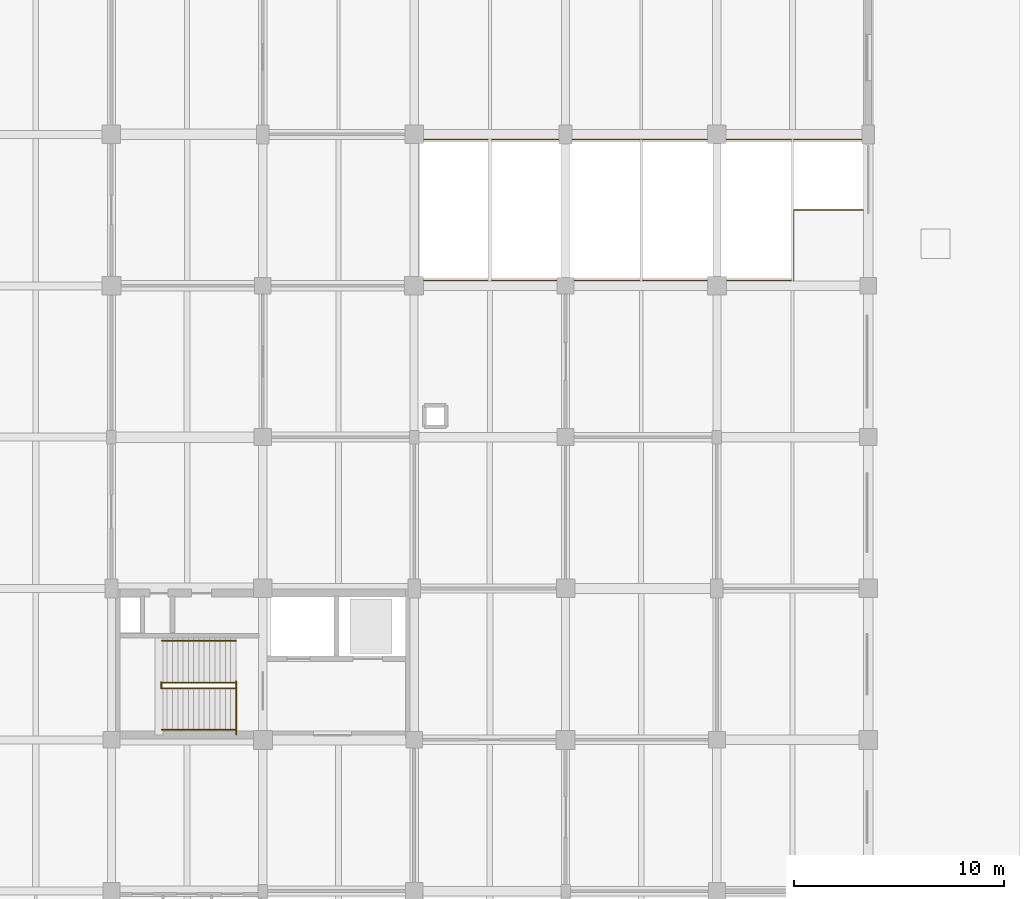
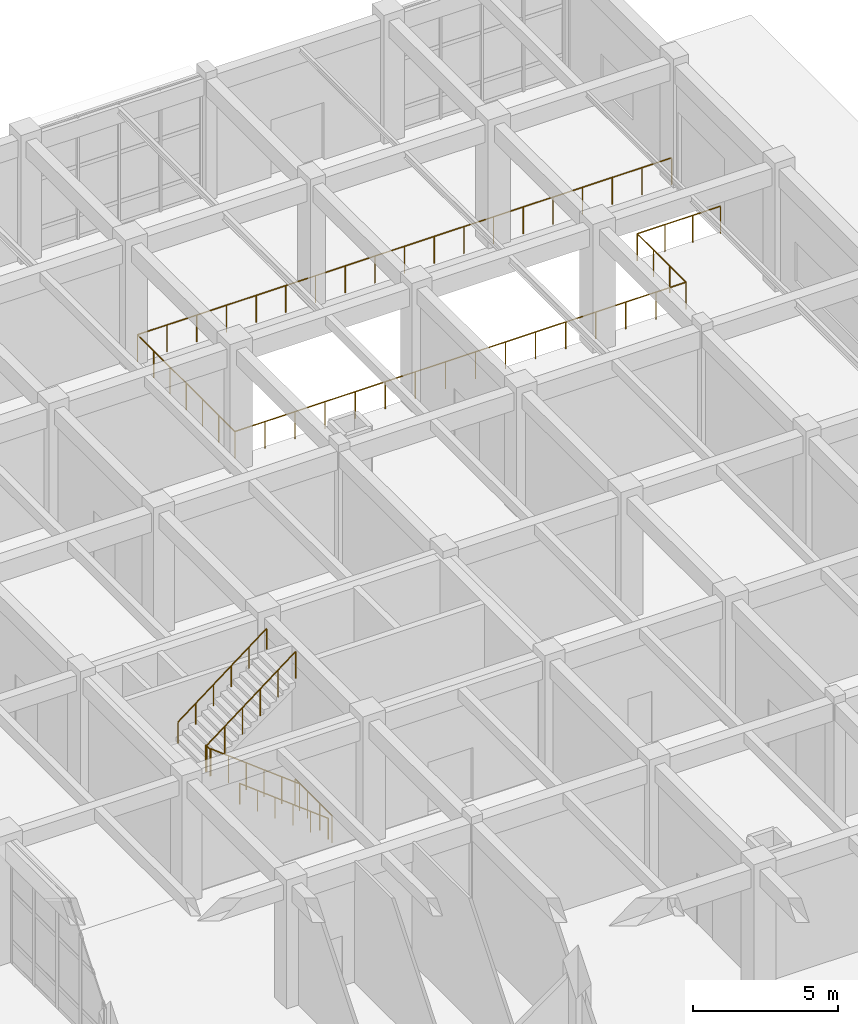
# One storey, part 158 of 160: 7 railings.
"""IFC4 building model written with IfcOpenShell, lengths in metres."""

from ifc_helpers import new_model, si_unit, direction, frame, origin, origin_2d, place, context, subcontext, project, spatial, circle, extrude, material, type_object, element, save


model = new_model("IFC4")

# Units and contexts
model_context = context("Model", 3, precision=1e-05, world=origin(), true_north=direction((0.0, 1.0)))
body_context = subcontext(model_context, "Body", "Model", "MODEL_VIEW")
ifc_project = project(units=[si_unit("LENGTHUNIT", "METRE"), si_unit("AREAUNIT", "SQUARE_METRE"), si_unit("VOLUMEUNIT", "CUBIC_METRE"), si_unit("PLANEANGLEUNIT", "RADIAN"), si_unit("MASSUNIT", "GRAM", prefix="KILO")], contexts=[model_context])

# Site, building, storey
site_placement = place(None, origin())
site = spatial("IfcSite", under=ifc_project, at=site_placement, CompositionType="ELEMENT")
building_placement = place(site_placement, origin())
building = spatial("IfcBuilding", under=site, at=building_placement, Name="Thalmaran Polytechnic", CompositionType="ELEMENT")
storey_placement = place(building_placement, origin())
storey = spatial("IfcBuildingStorey", under=building, at=storey_placement, Name="L00", CompositionType="ELEMENT", Elevation=0.0)

# Railings
ifc_material = material(Name="Stainless steel 316", Category="steel")
railing_type_1 = type_object("IfcRailingType", Name="RL-GR01", PredefinedType="GUARDRAIL", material=ifc_material)
railing_1_placement = place(storey_placement, frame((142.72998046875, 86.64990234375, 0.0)))
element("IfcRailing", 1, at=railing_1_placement, inside=storey, type_object=railing_type_1, Name="ST5 L00 Landing Edge Guardrail", PredefinedType="GUARDRAIL", context=body_context, shape_type="SweptSolid", body=[
    extrude(circle(Radius=0.02392578125, at=origin_2d()), frame((0.0, 0.0, 1.1259765625), z_axis=(0.0, 1.0, 0.0), x_axis=(-1.0, 0.0, 0.0)), (0.0, 0.0, 1.0), 2.530029296875),
    extrude(circle(Radius=0.02099609375, at=origin_2d()), origin(), (0.0, 0.0, 1.0), 1.101806640625),
    extrude(circle(Radius=0.02099609375, at=origin_2d()), frame((0.0, 0.84326171875, 0.0)), (0.0, 0.0, 1.0), 1.101806640625),
    extrude(circle(Radius=0.02099609375, at=origin_2d()), frame((0.0, 1.686767578125, 0.0)), (0.0, 0.0, 1.0), 1.101806640625),
    extrude(circle(Radius=0.02099609375, at=origin_2d()), frame((0.0, 2.530029296875, 0.0)), (0.0, 0.0, 1.0), 1.101806640625),
])
railing_2_placement = place(storey_placement, frame((142.719970703125, 88.860107421875, 0.0)))
element("IfcRailing", 2, at=railing_2_placement, inside=storey, type_object=railing_type_1, Name="ST5 L00 Lower Flight Guardrail", PredefinedType="GUARDRAIL", context=body_context, shape_type="SweptSolid", body=[
    extrude(circle(Radius=0.02392578125, at=origin_2d()), frame((0.0, 0.0, 1.1259765625), z_axis=(-0.793468160984, 0.0, 0.608611762542), x_axis=(0.0, -1.0, 0.0)), (0.0, 0.0, 1.0), 4.436279296875),
    extrude(circle(Radius=0.02099609375, at=origin_2d()), origin(), (0.0, 0.0, 1.0), 1.101806640625),
    extrude(circle(Radius=0.02099609375, at=origin_2d()), frame((-0.7041015625, 0.0, 0.5400390625)), (0.0, 0.0, 1.0), 1.101806640625),
    extrude(circle(Radius=0.02099609375, at=origin_2d()), frame((-1.407958984375, 0.0, 1.080078125)), (0.0, 0.0, 1.0), 1.101806640625),
    extrude(circle(Radius=0.02099609375, at=origin_2d()), frame((-2.112060546875, 0.0, 1.619873046875)), (0.0, 0.0, 1.0), 1.101806640625),
    extrude(circle(Radius=0.02099609375, at=origin_2d()), frame((-2.81591796875, 0.0, 2.159912109375)), (0.0, 0.0, 1.0), 1.101806640625),
    extrude(circle(Radius=0.02099609375, at=origin_2d()), frame((-3.52001953125, 0.0, 2.699951171875)), (0.0, 0.0, 1.0), 1.101806640625),
])
railing_3_placement = place(storey_placement, frame((139.159912109375, 88.840087890625, 2.699951171875)))
element("IfcRailing", 3, at=railing_3_placement, inside=storey, type_object=railing_type_1, Name="ST5 L00 Half-Landing Well Guardrail", PredefinedType="GUARDRAIL", context=body_context, shape_type="SweptSolid", body=[
    extrude(circle(Radius=0.02392578125, at=origin_2d()), frame((0.0, 0.0, 1.1259765625), z_axis=(0.0, 1.0, 0.0), x_axis=(-1.0, 0.0, 0.0)), (0.0, 0.0, 1.0), 0.2998046875),
    extrude(circle(Radius=0.02099609375, at=origin_2d()), origin(), (0.0, 0.0, 1.0), 1.101806640625),
    extrude(circle(Radius=0.02099609375, at=origin_2d()), frame((0.0, 0.2998046875, 0.0)), (0.0, 0.0, 1.0), 1.101806640625),
])
railing_4_placement = place(storey_placement, frame((139.199951171875, 89.1201171875, 2.699951171875)))
element("IfcRailing", 4, at=railing_4_placement, inside=storey, type_object=railing_type_1, Name="ST5 L00 Upper Flight Guardrail", PredefinedType="GUARDRAIL", context=body_context, shape_type="SweptSolid", body=[
    extrude(circle(Radius=0.02392578125, at=origin_2d()), frame((0.0, 0.0, 1.1259765625), z_axis=(0.793468160984, 0.0, 0.608611762542), x_axis=(0.0, 1.0, 0.0)), (0.0, 0.0, 1.0), 4.436279296875),
    extrude(circle(Radius=0.02099609375, at=origin_2d()), origin(), (0.0, 0.0, 1.0), 1.101806640625),
    extrude(circle(Radius=0.02099609375, at=origin_2d()), frame((0.7041015625, 0.0, 0.5400390625)), (0.0, 0.0, 1.0), 1.101806640625),
    extrude(circle(Radius=0.02099609375, at=origin_2d()), frame((1.407958984375, 0.0, 1.080078125)), (0.0, 0.0, 1.0), 1.101806640625),
    extrude(circle(Radius=0.02099609375, at=origin_2d()), frame((2.112060546875, 0.0, 1.619873046875)), (0.0, 0.0, 1.0), 1.101806640625),
    extrude(circle(Radius=0.02099609375, at=origin_2d()), frame((2.81591796875, 0.0, 2.159912109375)), (0.0, 0.0, 1.0), 1.101806640625),
    extrude(circle(Radius=0.02099609375, at=origin_2d()), frame((3.52001953125, 0.0, 2.699951171875)), (0.0, 0.0, 1.0), 1.101806640625),
])
railing_5_placement = place(storey_placement, frame((172.550048828125, 111.60009765625, 0.0)))
element("IfcRailing", 5, at=railing_5_placement, inside=storey, type_object=railing_type_1, Name="L00 Vehicle Ramp Well Perimeter Guard", PredefinedType="GUARDRAIL", context=body_context, shape_type="SweptSolid", body=[
    extrude(circle(Radius=0.02392578125, at=origin_2d()), frame((0.0, 0.0, 1.1259765625), z_axis=(-1.0, 0.0, 0.0), x_axis=(0.0, -1.0, 0.0)), (0.0, 0.0, 1.0), 3.300048828125),
    extrude(circle(Radius=0.02392578125, at=origin_2d()), frame((-3.300048828125, 0.0, 1.1259765625), z_axis=(0.0, -1.0, 0.0), x_axis=(1.0, 0.0, 0.0)), (0.0, 0.0, 1.0), 3.35009765625),
    extrude(circle(Radius=0.02392578125, at=origin_2d()), frame((-3.300048828125, -3.35009765625, 1.1259765625), z_axis=(-1.0, 0.0, 0.0), x_axis=(0.0, -1.0, 0.0)), (0.0, 0.0, 1.0), 17.89990234375),
    extrude(circle(Radius=0.02392578125, at=origin_2d()), frame((-21.199951171875, -3.35009765625, 1.1259765625), z_axis=(0.0, 1.0, 0.0), x_axis=(-1.0, 0.0, 0.0)), (0.0, 0.0, 1.0), 6.699951171875),
    extrude(circle(Radius=0.02392578125, at=origin_2d()), frame((-21.199951171875, 3.349853515625, 1.1259765625), z_axis=(1.0, 0.0, 0.0), x_axis=(0.0, 1.0, 0.0)), (0.0, 0.0, 1.0), 21.199951171875),
    extrude(circle(Radius=0.02099609375, at=origin_2d()), origin(), (0.0, 0.0, 1.0), 1.101806640625),
    extrude(circle(Radius=0.02099609375, at=origin_2d()), frame((-1.10009765625, 0.0, 0.0)), (0.0, 0.0, 1.0), 1.101806640625),
    extrude(circle(Radius=0.02099609375, at=origin_2d()), frame((-2.199951171875, 0.0, 0.0)), (0.0, 0.0, 1.0), 1.101806640625),
    extrude(circle(Radius=0.02099609375, at=origin_2d()), frame((-3.300048828125, 0.0, 0.0)), (0.0, 0.0, 1.0), 1.101806640625),
    extrude(circle(Radius=0.02099609375, at=origin_2d()), frame((-3.300048828125, -1.11669921875, 0.0)), (0.0, 0.0, 1.0), 1.101806640625),
    extrude(circle(Radius=0.02099609375, at=origin_2d()), frame((-3.300048828125, -2.2333984375, 0.0)), (0.0, 0.0, 1.0), 1.101806640625),
    extrude(circle(Radius=0.02099609375, at=origin_2d()), frame((-3.300048828125, -3.35009765625, 0.0)), (0.0, 0.0, 1.0), 1.101806640625),
    extrude(circle(Radius=0.02099609375, at=origin_2d()), frame((-4.493408203125, -3.35009765625, 0.0)), (0.0, 0.0, 1.0), 1.101806640625),
    extrude(circle(Radius=0.02099609375, at=origin_2d()), frame((-5.686767578125, -3.35009765625, 0.0)), (0.0, 0.0, 1.0), 1.101806640625),
    extrude(circle(Radius=0.02099609375, at=origin_2d()), frame((-6.880126953125, -3.35009765625, 0.0)), (0.0, 0.0, 1.0), 1.101806640625),
    extrude(circle(Radius=0.02099609375, at=origin_2d()), frame((-8.0732421875, -3.35009765625, 0.0)), (0.0, 0.0, 1.0), 1.101806640625),
    extrude(circle(Radius=0.02099609375, at=origin_2d()), frame((-9.2666015625, -3.35009765625, 0.0)), (0.0, 0.0, 1.0), 1.101806640625),
    extrude(circle(Radius=0.02099609375, at=origin_2d()), frame((-10.4599609375, -3.35009765625, 0.0)), (0.0, 0.0, 1.0), 1.101806640625),
    extrude(circle(Radius=0.02099609375, at=origin_2d()), frame((-11.6533203125, -3.35009765625, 0.0)), (0.0, 0.0, 1.0), 1.101806640625),
    extrude(circle(Radius=0.02099609375, at=origin_2d()), frame((-12.8466796875, -3.35009765625, 0.0)), (0.0, 0.0, 1.0), 1.101806640625),
    extrude(circle(Radius=0.02099609375, at=origin_2d()), frame((-14.0400390625, -3.35009765625, 0.0)), (0.0, 0.0, 1.0), 1.101806640625),
    extrude(circle(Radius=0.02099609375, at=origin_2d()), frame((-15.2333984375, -3.35009765625, 0.0)), (0.0, 0.0, 1.0), 1.101806640625),
    extrude(circle(Radius=0.02099609375, at=origin_2d()), frame((-16.4267578125, -3.35009765625, 0.0)), (0.0, 0.0, 1.0), 1.101806640625),
    extrude(circle(Radius=0.02099609375, at=origin_2d()), frame((-17.619873046875, -3.35009765625, 0.0)), (0.0, 0.0, 1.0), 1.101806640625),
    extrude(circle(Radius=0.02099609375, at=origin_2d()), frame((-18.813232421875, -3.35009765625, 0.0)), (0.0, 0.0, 1.0), 1.101806640625),
    extrude(circle(Radius=0.02099609375, at=origin_2d()), frame((-20.006591796875, -3.35009765625, 0.0)), (0.0, 0.0, 1.0), 1.101806640625),
    extrude(circle(Radius=0.02099609375, at=origin_2d()), frame((-21.199951171875, -3.35009765625, 0.0)), (0.0, 0.0, 1.0), 1.101806640625),
    extrude(circle(Radius=0.02099609375, at=origin_2d()), frame((-21.199951171875, -2.2333984375, 0.0)), (0.0, 0.0, 1.0), 1.101806640625),
    extrude(circle(Radius=0.02099609375, at=origin_2d()), frame((-21.199951171875, -1.11669921875, 0.0)), (0.0, 0.0, 1.0), 1.101806640625),
    extrude(circle(Radius=0.02099609375, at=origin_2d()), frame((-21.199951171875, 0.0, 0.0)), (0.0, 0.0, 1.0), 1.101806640625),
    extrude(circle(Radius=0.02099609375, at=origin_2d()), frame((-21.199951171875, 1.116455078125, 0.0)), (0.0, 0.0, 1.0), 1.101806640625),
    extrude(circle(Radius=0.02099609375, at=origin_2d()), frame((-21.199951171875, 2.233154296875, 0.0)), (0.0, 0.0, 1.0), 1.101806640625),
    extrude(circle(Radius=0.02099609375, at=origin_2d()), frame((-21.199951171875, 3.349853515625, 0.0)), (0.0, 0.0, 1.0), 1.101806640625),
    extrude(circle(Radius=0.02099609375, at=origin_2d()), frame((-20.022216796875, 3.349853515625, 0.0)), (0.0, 0.0, 1.0), 1.101806640625),
    extrude(circle(Radius=0.02099609375, at=origin_2d()), frame((-18.844482421875, 3.349853515625, 0.0)), (0.0, 0.0, 1.0), 1.101806640625),
    extrude(circle(Radius=0.02099609375, at=origin_2d()), frame((-17.66650390625, 3.349853515625, 0.0)), (0.0, 0.0, 1.0), 1.101806640625),
    extrude(circle(Radius=0.02099609375, at=origin_2d()), frame((-16.48876953125, 3.349853515625, 0.0)), (0.0, 0.0, 1.0), 1.101806640625),
    extrude(circle(Radius=0.02099609375, at=origin_2d()), frame((-15.31103515625, 3.349853515625, 0.0)), (0.0, 0.0, 1.0), 1.101806640625),
    extrude(circle(Radius=0.02099609375, at=origin_2d()), frame((-14.13330078125, 3.349853515625, 0.0)), (0.0, 0.0, 1.0), 1.101806640625),
    extrude(circle(Radius=0.02099609375, at=origin_2d()), frame((-12.95556640625, 3.349853515625, 0.0)), (0.0, 0.0, 1.0), 1.101806640625),
    extrude(circle(Radius=0.02099609375, at=origin_2d()), frame((-11.77783203125, 3.349853515625, 0.0)), (0.0, 0.0, 1.0), 1.101806640625),
    extrude(circle(Radius=0.02099609375, at=origin_2d()), frame((-10.60009765625, 3.349853515625, 0.0)), (0.0, 0.0, 1.0), 1.101806640625),
    extrude(circle(Radius=0.02099609375, at=origin_2d()), frame((-9.422119140625, 3.349853515625, 0.0)), (0.0, 0.0, 1.0), 1.101806640625),
    extrude(circle(Radius=0.02099609375, at=origin_2d()), frame((-8.244384765625, 3.349853515625, 0.0)), (0.0, 0.0, 1.0), 1.101806640625),
    extrude(circle(Radius=0.02099609375, at=origin_2d()), frame((-7.066650390625, 3.349853515625, 0.0)), (0.0, 0.0, 1.0), 1.101806640625),
    extrude(circle(Radius=0.02099609375, at=origin_2d()), frame((-5.888916015625, 3.349853515625, 0.0)), (0.0, 0.0, 1.0), 1.101806640625),
    extrude(circle(Radius=0.02099609375, at=origin_2d()), frame((-4.711181640625, 3.349853515625, 0.0)), (0.0, 0.0, 1.0), 1.101806640625),
    extrude(circle(Radius=0.02099609375, at=origin_2d()), frame((-3.533203125, 3.349853515625, 0.0)), (0.0, 0.0, 1.0), 1.101806640625),
    extrude(circle(Radius=0.02099609375, at=origin_2d()), frame((-2.35546875, 3.349853515625, 0.0)), (0.0, 0.0, 1.0), 1.101806640625),
    extrude(circle(Radius=0.02099609375, at=origin_2d()), frame((-1.177734375, 3.349853515625, 0.0)), (0.0, 0.0, 1.0), 1.101806640625),
    extrude(circle(Radius=0.02099609375, at=origin_2d()), frame((0.0, 3.349853515625, 0.0)), (0.0, 0.0, 1.0), 1.101806640625),
])
railing_type_2 = type_object("IfcRailingType", Name="RL-HR01", PredefinedType="HANDRAIL", material=ifc_material)
railing_6_placement = place(storey_placement, frame((142.719970703125, 86.8798828125, 0.0)))
element("IfcRailing", 6, at=railing_6_placement, inside=storey, type_object=railing_type_2, Name="ST5 L00 Flight 1 Handrail", PredefinedType="HANDRAIL", context=body_context, shape_type="SweptSolid", body=[
    extrude(circle(Radius=0.02392578125, at=origin_2d()), frame((0.0, 0.0, 0.8759765625), z_axis=(-0.793468160984, 0.0, 0.608611762542), x_axis=(0.0, -1.0, 0.0)), (0.0, 0.0, 1.0), 4.436279296875),
    extrude(circle(Radius=0.02099609375, at=origin_2d()), origin(), (0.0, 0.0, 1.0), 0.851806640625),
    extrude(circle(Radius=0.02099609375, at=origin_2d()), frame((-0.7041015625, 0.0, 0.5400390625)), (0.0, 0.0, 1.0), 0.851806640625),
    extrude(circle(Radius=0.02099609375, at=origin_2d()), frame((-1.407958984375, 0.0, 1.080078125)), (0.0, 0.0, 1.0), 0.851806640625),
    extrude(circle(Radius=0.02099609375, at=origin_2d()), frame((-2.112060546875, 0.0, 1.619873046875)), (0.0, 0.0, 1.0), 0.851806640625),
    extrude(circle(Radius=0.02099609375, at=origin_2d()), frame((-2.81591796875, 0.0, 2.159912109375)), (0.0, 0.0, 1.0), 0.851806640625),
    extrude(circle(Radius=0.02099609375, at=origin_2d()), frame((-3.52001953125, 0.0, 2.699951171875)), (0.0, 0.0, 1.0), 0.851806640625),
])
railing_7_placement = place(storey_placement, frame((139.199951171875, 91.1201171875, 2.699951171875)))
element("IfcRailing", 7, at=railing_7_placement, inside=storey, type_object=railing_type_2, Name="ST5 L00 Flight 2 Handrail", PredefinedType="HANDRAIL", context=body_context, shape_type="SweptSolid", body=[
    extrude(circle(Radius=0.02392578125, at=origin_2d()), frame((0.0, 0.0, 0.8759765625), z_axis=(0.793468160984, 0.0, 0.608611762542), x_axis=(0.0, 1.0, 0.0)), (0.0, 0.0, 1.0), 4.436279296875),
    extrude(circle(Radius=0.02099609375, at=origin_2d()), origin(), (0.0, 0.0, 1.0), 0.851806640625),
    extrude(circle(Radius=0.02099609375, at=origin_2d()), frame((0.7041015625, 0.0, 0.5400390625)), (0.0, 0.0, 1.0), 0.851806640625),
    extrude(circle(Radius=0.02099609375, at=origin_2d()), frame((1.407958984375, 0.0, 1.080078125)), (0.0, 0.0, 1.0), 0.851806640625),
    extrude(circle(Radius=0.02099609375, at=origin_2d()), frame((2.112060546875, 0.0, 1.619873046875)), (0.0, 0.0, 1.0), 0.851806640625),
    extrude(circle(Radius=0.02099609375, at=origin_2d()), frame((2.81591796875, 0.0, 2.159912109375)), (0.0, 0.0, 1.0), 0.851806640625),
    extrude(circle(Radius=0.02099609375, at=origin_2d()), frame((3.52001953125, 0.0, 2.699951171875)), (0.0, 0.0, 1.0), 0.851806640625),
])

save(model, "model.ifc")
